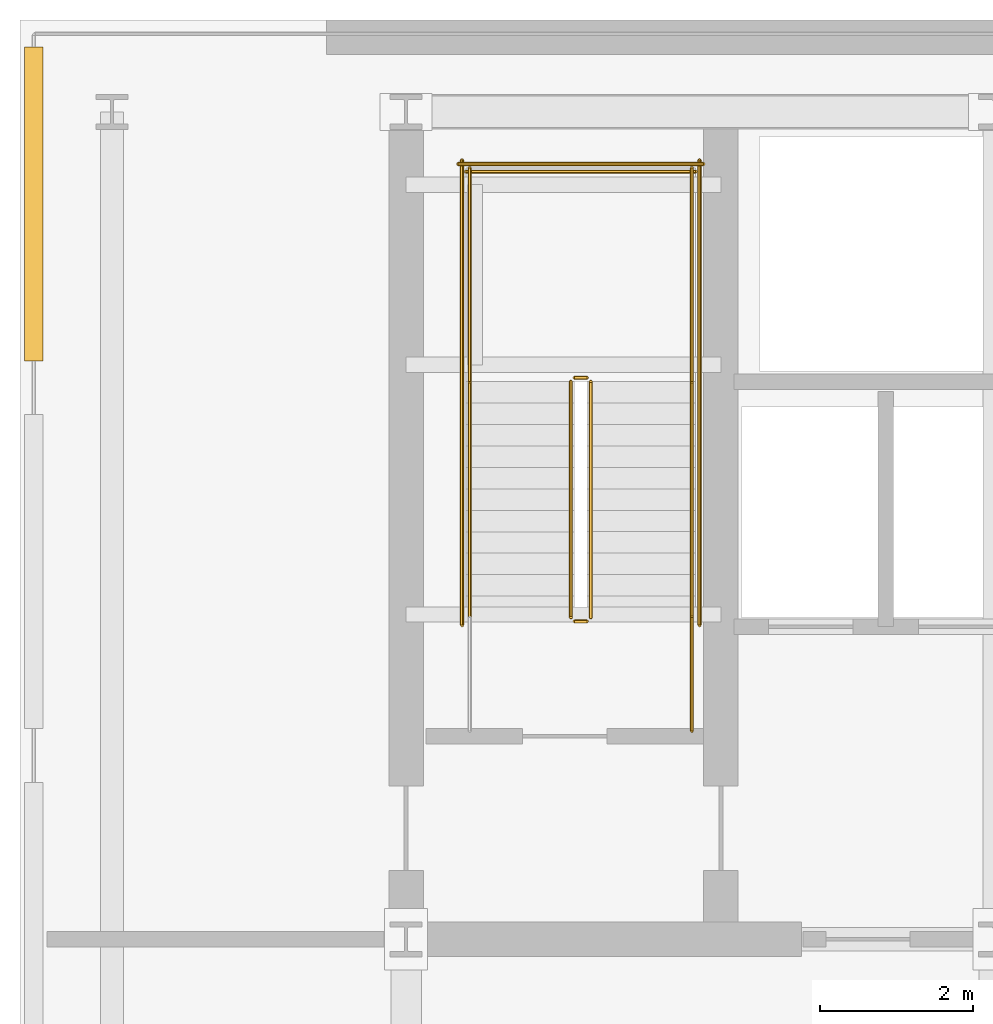
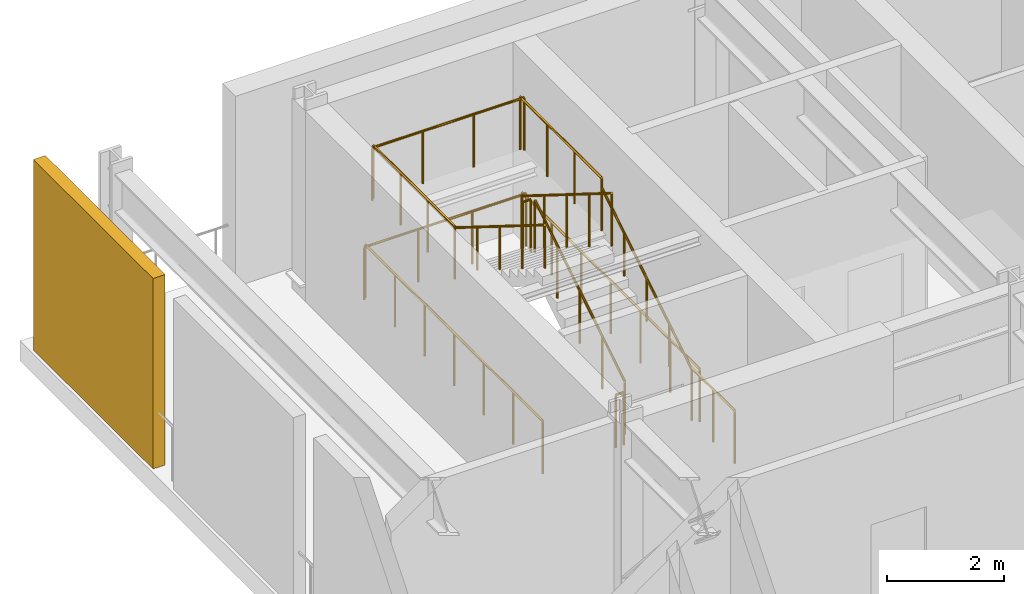
# One storey, part 6 of 8: 13 railings, 1 shading device.
"""IFC4 building model written with IfcOpenShell, lengths in metres."""

from ifc_helpers import new_model, si_unit, direction, frame, origin, origin_2d, place, context, subcontext, project, spatial, rectangle, circle, extrude, material, layer, layer_set, type_object, element, save


model = new_model("IFC4")

# Units and contexts
model_context = context("Model", 3, precision=1e-05, world=origin(), true_north=direction((0.0, 1.0)))
body_context = subcontext(model_context, "Body", "Model", "MODEL_VIEW")
ifc_project = project(units=[si_unit("LENGTHUNIT", "METRE"), si_unit("AREAUNIT", "SQUARE_METRE"), si_unit("VOLUMEUNIT", "CUBIC_METRE"), si_unit("PLANEANGLEUNIT", "RADIAN"), si_unit("MASSUNIT", "GRAM", prefix="KILO")], contexts=[model_context])

# Site, building, storey
site_placement = place(None, origin())
site = spatial("IfcSite", under=ifc_project, at=site_placement, CompositionType="ELEMENT")
building_placement = place(site_placement, origin())
building = spatial("IfcBuilding", under=site, at=building_placement, Name="Yelkora Congress Tower", CompositionType="ELEMENT")
storey_placement = place(building_placement, frame((0.0, 0.0, 191.89990234375)))
storey = spatial("IfcBuildingStorey", under=building, at=storey_placement, Name="L53", CompositionType="ELEMENT", Elevation=191.89990234375)

# Railings
ifc_material_1 = material(Name="Painted galvanised steel stair well guard with vertical infill", Category="steel")
ifc_layer_1 = layer(ifc_material_1, 0.06005859375)
ifc_layer_set_1 = layer_set([ifc_layer_1], Name="Painted galvanised steel stair well guard with vertical infill")
railing_type_1 = type_object("IfcRailingType", Name="RAIL-STAIR-GUARD-1120", PredefinedType="GUARDRAIL", material=ifc_layer_set_1)
railing_1_placement = place(storey_placement, frame((25.449951171875, 39.60009765625, 0.175048828125)))
element("IfcRailing", 1, at=railing_1_placement, inside=storey, type_object=railing_type_1, Name="ST-01 L53 Stair Well Guardrail 1", PredefinedType="GUARDRAIL", context=body_context, shape_type="SweptSolid", body=[
    extrude(circle(Radius=0.02392578125, at=origin_2d()), frame((0.0, 0.0, 1.09619140625), z_axis=(0.0, 0.847979421464, 0.530029150871), x_axis=(-1.0, 0.0, 0.0)), (0.0, 0.0, 1.0), 3.632080078125),
    extrude(circle(Radius=0.02099609375, at=origin_2d()), origin(), (0.0, 0.0, 1.0), 1.072021484375),
    extrude(circle(Radius=0.02099609375, at=origin_2d()), frame((0.0, 0.77001953125, 0.481201171875)), (0.0, 0.0, 1.0), 1.072021484375),
    extrude(circle(Radius=0.02099609375, at=origin_2d()), frame((0.0, 1.5400390625, 0.96240234375)), (0.0, 0.0, 1.0), 1.072021484375),
    extrude(circle(Radius=0.02099609375, at=origin_2d()), frame((0.0, 2.309814453125, 1.44384765625)), (0.0, 0.0, 1.0), 1.072021484375),
    extrude(circle(Radius=0.02099609375, at=origin_2d()), frame((0.0, 3.079833984375, 1.925048828125)), (0.0, 0.0, 1.0), 1.072021484375),
])
railing_2_placement = place(storey_placement, frame((25.39990234375, 42.72998046875, 2.10009765625)))
element("IfcRailing", 2, at=railing_2_placement, inside=storey, type_object=railing_type_1, Name="ST-01 L53 Stair Well Guardrail 2", PredefinedType="GUARDRAIL", context=body_context, shape_type="SweptSolid", body=[
    extrude(circle(Radius=0.02392578125, at=origin_2d()), frame((0.0, 0.0, 1.09619140625), z_axis=(-1.0, 0.0, 0.0), x_axis=(0.0, -1.0, 0.0)), (0.0, 0.0, 1.0), 0.159912109375),
    extrude(circle(Radius=0.02099609375, at=origin_2d()), origin(), (0.0, 0.0, 1.0), 1.072021484375),
    extrude(circle(Radius=0.02099609375, at=origin_2d()), frame((-0.159912109375, 0.0, 0.0)), (0.0, 0.0, 1.0), 1.072021484375),
])
for number, where, name in (
    (3, (26.77001953125, 42.679931640625, 2.10009765625), "ST-01 L53 Stair Well Guardrail 3"),
    (4, (23.8701171875, 42.679931640625, 2.10009765625), "ST-01 L53 Stair Well Guardrail 4"),
):
    element("IfcRailing", number, at=place(storey_placement, frame(where)), inside=storey, type_object=railing_type_1, Name=name, PredefinedType="GUARDRAIL", context=body_context, shape_type="SweptSolid", body=[
        extrude(circle(Radius=0.02392578125, at=origin_2d()), frame((0.0, 0.0, 1.09619140625), z_axis=(0.0, 1.0, 0.0), x_axis=(-1.0, 0.0, 0.0)), (0.0, 0.0, 1.0), 2.7900390625),
        extrude(circle(Radius=0.02099609375, at=origin_2d()), origin(), (0.0, 0.0, 1.0), 1.072021484375),
        extrude(circle(Radius=0.02099609375, at=origin_2d()), frame((0.0, 0.929931640625, 0.0)), (0.0, 0.0, 1.0), 1.072021484375),
        extrude(circle(Radius=0.02099609375, at=origin_2d()), frame((0.0, 1.860107421875, 0.0)), (0.0, 0.0, 1.0), 1.072021484375),
        extrude(circle(Radius=0.02099609375, at=origin_2d()), frame((0.0, 2.7900390625, 0.0)), (0.0, 0.0, 1.0), 1.072021484375),
    ])
railing_3_placement = place(storey_placement, frame((26.820068359375, 45.419921875, 2.10009765625)))
element("IfcRailing", 5, at=railing_3_placement, inside=storey, type_object=railing_type_1, Name="ST-01 L53 Stair Well Guardrail 5", PredefinedType="GUARDRAIL", context=body_context, shape_type="SweptSolid", body=[
    extrude(circle(Radius=0.02392578125, at=origin_2d()), frame((0.0, 0.0, 1.09619140625), z_axis=(-1.0, 0.0, 0.0), x_axis=(0.0, -1.0, 0.0)), (0.0, 0.0, 1.0), 3.0),
    extrude(circle(Radius=0.02099609375, at=origin_2d()), origin(), (0.0, 0.0, 1.0), 1.072021484375),
    extrude(circle(Radius=0.02099609375, at=origin_2d()), frame((-1.0, 0.0, 0.0)), (0.0, 0.0, 1.0), 1.072021484375),
    extrude(circle(Radius=0.02099609375, at=origin_2d()), frame((-2.0, 0.0, 0.0)), (0.0, 0.0, 1.0), 1.072021484375),
    extrude(circle(Radius=0.02099609375, at=origin_2d()), frame((-3.0, 0.0, 0.0)), (0.0, 0.0, 1.0), 1.072021484375),
])
railing_4_placement = place(storey_placement, frame((25.18994140625, 42.679931640625, 2.275146484375)))
element("IfcRailing", 6, at=railing_4_placement, inside=storey, type_object=railing_type_1, Name="ST-01 L53 Stair Well Guardrail 6", PredefinedType="GUARDRAIL", context=body_context, shape_type="SweptSolid", body=[
    extrude(circle(Radius=0.02392578125, at=origin_2d()), frame((0.0, 0.0, 1.09619140625), z_axis=(0.0, -0.847979421464, 0.530029150871), x_axis=(1.0, 0.0, 0.0)), (0.0, 0.0, 1.0), 3.632080078125),
    extrude(circle(Radius=0.02099609375, at=origin_2d()), origin(), (0.0, 0.0, 1.0), 1.072021484375),
    extrude(circle(Radius=0.02099609375, at=origin_2d()), frame((0.0, -0.77001953125, 0.481201171875)), (0.0, 0.0, 1.0), 1.072021484375),
    extrude(circle(Radius=0.02099609375, at=origin_2d()), frame((0.0, -1.5400390625, 0.96240234375)), (0.0, 0.0, 1.0), 1.072021484375),
    extrude(circle(Radius=0.02099609375, at=origin_2d()), frame((0.0, -2.309814453125, 1.44384765625)), (0.0, 0.0, 1.0), 1.072021484375),
    extrude(circle(Radius=0.02099609375, at=origin_2d()), frame((0.0, -3.079833984375, 1.925048828125)), (0.0, 0.0, 1.0), 1.072021484375),
])
railing_5_placement = place(storey_placement, frame((25.39990234375, 39.550048828125, 0.0)))
element("IfcRailing", 7, at=railing_5_placement, inside=storey, type_object=railing_type_1, Name="ST-01 L53 Stair Well Guardrail 7", PredefinedType="GUARDRAIL", context=body_context, shape_type="SweptSolid", body=[
    extrude(circle(Radius=0.02392578125, at=origin_2d()), frame((0.0, 0.0, 1.09619140625), z_axis=(-1.0, 0.0, 0.0), x_axis=(0.0, -1.0, 0.0)), (0.0, 0.0, 1.0), 0.159912109375),
    extrude(circle(Radius=0.02099609375, at=origin_2d()), origin(), (0.0, 0.0, 1.0), 1.072021484375),
    extrude(circle(Radius=0.02099609375, at=origin_2d()), frame((-0.159912109375, 0.0, 0.0)), (0.0, 0.0, 1.0), 1.072021484375),
])
railing_6_placement = place(storey_placement, frame((26.77001953125, 38.1201171875, 0.0)))
element("IfcRailing", 8, at=railing_6_placement, inside=storey, type_object=railing_type_1, Name="ST-01 L53 Stair Well Guardrail 8", PredefinedType="GUARDRAIL", context=body_context, shape_type="SweptSolid", body=[
    extrude(circle(Radius=0.02392578125, at=origin_2d()), frame((0.0, 0.0, 1.09619140625), z_axis=(0.0, 1.0, 0.0), x_axis=(-1.0, 0.0, 0.0)), (0.0, 0.0, 1.0), 1.47998046875),
    extrude(circle(Radius=0.02099609375, at=origin_2d()), origin(), (0.0, 0.0, 1.0), 1.072021484375),
    extrude(circle(Radius=0.02099609375, at=origin_2d()), frame((0.0, 0.739990234375, 0.0)), (0.0, 0.0, 1.0), 1.072021484375),
    extrude(circle(Radius=0.02099609375, at=origin_2d()), frame((0.0, 1.47998046875, 0.0)), (0.0, 0.0, 1.0), 1.072021484375),
])
for number, where, name in (
    (9, (26.8701171875, 39.5, 0.0), "ST-01 L53 Stair Well Guardrail 10"),
    (10, (23.77001953125, 39.5, 0.0), "ST-01 L53 Stair Well Guardrail 11"),
):
    element("IfcRailing", number, at=place(storey_placement, frame(where)), inside=storey, type_object=railing_type_1, Name=name, PredefinedType="GUARDRAIL", context=body_context, shape_type="SweptSolid", body=[
        extrude(circle(Radius=0.02392578125, at=origin_2d()), frame((0.0, 0.0, 1.09619140625), z_axis=(0.0, 1.0, 0.0), x_axis=(-1.0, 0.0, 0.0)), (0.0, 0.0, 1.0), 6.070068359375),
        extrude(circle(Radius=0.02099609375, at=origin_2d()), origin(), (0.0, 0.0, 1.0), 1.072021484375),
        extrude(circle(Radius=0.02099609375, at=origin_2d()), frame((0.0, 1.01171875, 0.0)), (0.0, 0.0, 1.0), 1.072021484375),
        extrude(circle(Radius=0.02099609375, at=origin_2d()), frame((0.0, 2.0234375, 0.0)), (0.0, 0.0, 1.0), 1.072021484375),
        extrude(circle(Radius=0.02099609375, at=origin_2d()), frame((0.0, 3.03515625, 0.0)), (0.0, 0.0, 1.0), 1.072021484375),
        extrude(circle(Radius=0.02099609375, at=origin_2d()), frame((0.0, 4.046630859375, 0.0)), (0.0, 0.0, 1.0), 1.072021484375),
        extrude(circle(Radius=0.02099609375, at=origin_2d()), frame((0.0, 5.058349609375, 0.0)), (0.0, 0.0, 1.0), 1.072021484375),
        extrude(circle(Radius=0.02099609375, at=origin_2d()), frame((0.0, 6.070068359375, 0.0)), (0.0, 0.0, 1.0), 1.072021484375),
    ])
railing_7_placement = place(storey_placement, frame((26.919921875, 45.52001953125, 0.0)))
element("IfcRailing", 11, at=railing_7_placement, inside=storey, type_object=railing_type_1, Name="ST-01 L53 Stair Well Guardrail 12", PredefinedType="GUARDRAIL", context=body_context, shape_type="SweptSolid", body=[
    extrude(circle(Radius=0.02392578125, at=origin_2d()), frame((0.0, 0.0, 1.09619140625), z_axis=(-1.0, 0.0, 0.0), x_axis=(0.0, -1.0, 0.0)), (0.0, 0.0, 1.0), 3.199951171875),
    extrude(circle(Radius=0.02099609375, at=origin_2d()), origin(), (0.0, 0.0, 1.0), 1.072021484375),
    extrude(circle(Radius=0.02099609375, at=origin_2d()), frame((-1.066650390625, 0.0, 0.0)), (0.0, 0.0, 1.0), 1.072021484375),
    extrude(circle(Radius=0.02099609375, at=origin_2d()), frame((-2.13330078125, 0.0, 0.0)), (0.0, 0.0, 1.0), 1.072021484375),
    extrude(circle(Radius=0.02099609375, at=origin_2d()), frame((-3.199951171875, 0.0, 0.0)), (0.0, 0.0, 1.0), 1.072021484375),
])
ifc_material_2 = material(Name="Brushed stainless steel tubular handrail", Category="steel")
ifc_layer_2 = layer(ifc_material_2, 0.050048828125)
ifc_layer_set_2 = layer_set([ifc_layer_2], Name="Brushed stainless steel tubular handrail")
railing_type_2 = type_object("IfcRailingType", Name="RAIL-STAIR-HAND-920", PredefinedType="HANDRAIL", material=ifc_layer_set_2)
railing_8_placement = place(storey_placement, frame((26.77001953125, 39.60009765625, 0.175048828125)))
element("IfcRailing", 12, at=railing_8_placement, inside=storey, type_object=railing_type_2, Name="ST-01 L53 Pitch Handrail 1", PredefinedType="HANDRAIL", context=body_context, shape_type="SweptSolid", body=[
    extrude(circle(Radius=0.02392578125, at=origin_2d()), frame((0.0, 0.0, 0.89599609375), z_axis=(0.0, 0.847979421464, 0.530029150871), x_axis=(-1.0, 0.0, 0.0)), (0.0, 0.0, 1.0), 3.632080078125),
    extrude(circle(Radius=0.02099609375, at=origin_2d()), origin(), (0.0, 0.0, 1.0), 0.871826171875),
    extrude(circle(Radius=0.02099609375, at=origin_2d()), frame((0.0, 0.77001953125, 0.481201171875)), (0.0, 0.0, 1.0), 0.871826171875),
    extrude(circle(Radius=0.02099609375, at=origin_2d()), frame((0.0, 1.5400390625, 0.96240234375)), (0.0, 0.0, 1.0), 0.871826171875),
    extrude(circle(Radius=0.02099609375, at=origin_2d()), frame((0.0, 2.309814453125, 1.44384765625)), (0.0, 0.0, 1.0), 0.871826171875),
    extrude(circle(Radius=0.02099609375, at=origin_2d()), frame((0.0, 3.079833984375, 1.925048828125)), (0.0, 0.0, 1.0), 0.871826171875),
])
railing_9_placement = place(storey_placement, frame((23.8701171875, 42.679931640625, 2.275146484375)))
element("IfcRailing", 13, at=railing_9_placement, inside=storey, type_object=railing_type_2, Name="ST-01 L53 Pitch Handrail 2", PredefinedType="HANDRAIL", context=body_context, shape_type="SweptSolid", body=[
    extrude(circle(Radius=0.02392578125, at=origin_2d()), frame((0.0, 0.0, 0.89599609375), z_axis=(0.0, -0.847979421464, 0.530029150871), x_axis=(1.0, 0.0, 0.0)), (0.0, 0.0, 1.0), 3.632080078125),
    extrude(circle(Radius=0.02099609375, at=origin_2d()), origin(), (0.0, 0.0, 1.0), 0.871826171875),
    extrude(circle(Radius=0.02099609375, at=origin_2d()), frame((0.0, -0.77001953125, 0.481201171875)), (0.0, 0.0, 1.0), 0.871826171875),
    extrude(circle(Radius=0.02099609375, at=origin_2d()), frame((0.0, -1.5400390625, 0.96240234375)), (0.0, 0.0, 1.0), 0.871826171875),
    extrude(circle(Radius=0.02099609375, at=origin_2d()), frame((0.0, -2.309814453125, 1.44384765625)), (0.0, 0.0, 1.0), 0.871826171875),
    extrude(circle(Radius=0.02099609375, at=origin_2d()), frame((0.0, -3.079833984375, 1.925048828125)), (0.0, 0.0, 1.0), 0.871826171875),
])

# Shading device
ifc_material_3 = material(Name="Perforated anodised aluminium louvre", Category="aluminium")
ifc_layer_3 = layer(ifc_material_3, 3.39990234375)
ifc_layer_set_3 = layer_set([ifc_layer_3], Name="Perforated anodised aluminium louvre")
shading_device_type = type_object("IfcShadingDeviceType", Name="SHD-LOUVRE-WIND", PredefinedType="JALOUSIE", material=ifc_layer_set_3)
shading_device_placement = place(storey_placement, frame((18.179931640625, 45.0, 0.0), z_axis=(0.0, 0.0, 1.0), x_axis=(1.0, 0.0, 0.0)))
element("IfcShadingDevice", 14, at=shading_device_placement, inside=storey, type_object=shading_device_type, Name="L53 Acoustic Wind-Floor Louvre Screen W5", PredefinedType="JALOUSIE", context=body_context, shape_type="SweptSolid", body=[
    extrude(rectangle(XDim=0.239990234375, YDim=4.10009765625, at=origin_2d()), origin(), (0.0, 0.0, 1.0), 3.97998046875),
])

save(model, "model.ifc")
